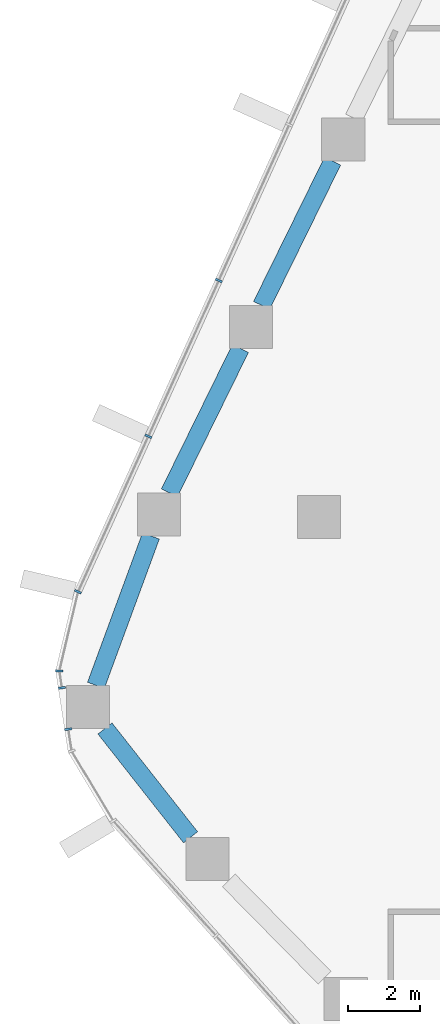
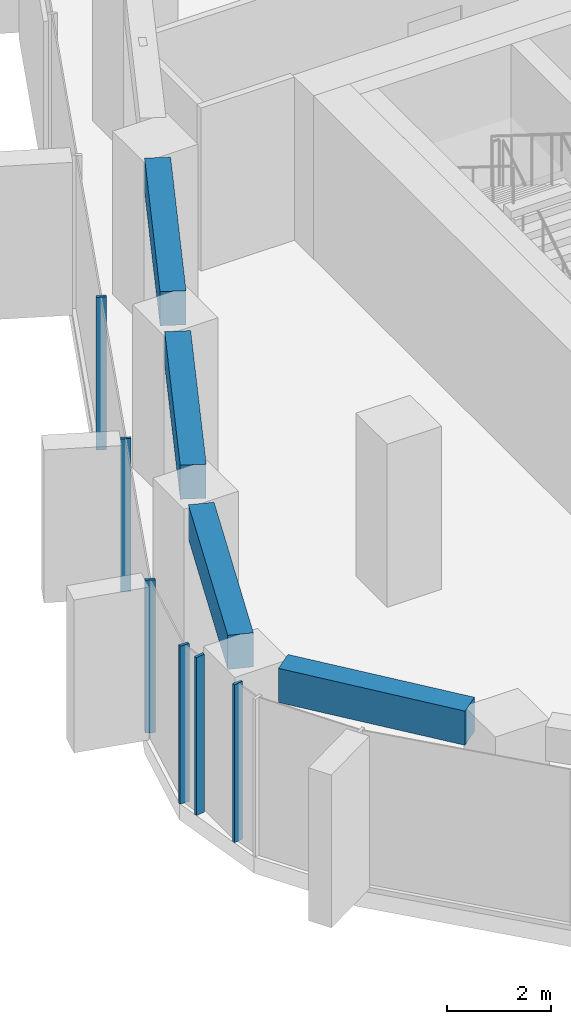
# One storey, part 3 of 17: 6 members, 4 beams, 3 elements without a shape of their own.
"""IFC4 building model written with IfcOpenShell, lengths in metres."""

from ifc_helpers import new_model, si_unit, direction, frame, origin, origin_2d, place, context, subcontext, project, spatial, rectangle, extrude, material, layer, layer_set, material_profile, profile_set, type_object, element, aggregate, save


model = new_model("IFC4")

# Units and contexts
model_context = context("Model", 3, precision=1e-05, world=origin(), true_north=direction((0.0, 1.0)))
body_context = subcontext(model_context, "Body", "Model", "MODEL_VIEW")
ifc_project = project(units=[si_unit("LENGTHUNIT", "METRE"), si_unit("AREAUNIT", "SQUARE_METRE"), si_unit("VOLUMEUNIT", "CUBIC_METRE"), si_unit("PLANEANGLEUNIT", "RADIAN"), si_unit("MASSUNIT", "GRAM", prefix="KILO")], contexts=[model_context])

# Site, building, storey
site_placement = place(None, origin())
site = spatial("IfcSite", under=ifc_project, at=site_placement, CompositionType="ELEMENT")
building_placement = place(site_placement, origin())
building = spatial("IfcBuilding", under=site, at=building_placement, Name="Dongbaek Canopy Tower", CompositionType="ELEMENT")
storey_placement = place(building_placement, frame((0.0, 0.0, 175.39990234375)))
storey = spatial("IfcBuildingStorey", under=building, at=storey_placement, Name="L38", CompositionType="ELEMENT", Elevation=175.39990234375)

# Curtain wall, members
ifc_material_1 = material(Name="Aluminium 6063-T6 pale anodised", Category="aluminium")
ifc_layer = layer(ifc_material_1, 0.199951171875)
ifc_layer_set = layer_set([ifc_layer], Name="CW-1 unitised tower curtain wall")
curtain_wall_type = type_object("IfcCurtainWallType", Name="CW-1 unitised tower curtain wall", PredefinedType="NOTDEFINED", material=ifc_layer_set)
curtain_wall_1_placement = place(storey_placement, origin())
curtain_wall_1 = element("IfcCurtainWall", 1, at=curtain_wall_1_placement, inside=storey, type_object=curtain_wall_type, Name="CW-1 curtain wall F2.1", PredefinedType="NOTDEFINED")
ifc_material_2 = material(Name="Aluminium 6063-T6 pale anodised", Category="aluminium")
ifc_material_profile_1 = material_profile(ifc_material_2, rectangle(XDim=0.199951171875, YDim=0.06005859375, at=origin_2d()), Name="CW-1 mullion 60 x 200")
ifc_profile_set_1 = profile_set([ifc_material_profile_1], Name="Aluminium 6063-T6 pale anodised")
member_type = type_object("IfcMemberType", Name="CW-1 mullion 60 x 200", PredefinedType="MULLION", material=ifc_profile_set_1)
member_1_placement = place(storey_placement, frame((-20.79443359375, 6.580078125, 0.1201171875), z_axis=(0.0, 0.0, 1.0), x_axis=(-0.911147578037, 0.412080199763, 0.0)))
member_1 = element("IfcMember", 2, at=member_1_placement, type_object=member_type, Name="CW-1 mullion F2.1.4", PredefinedType="MULLION", context=body_context, shape_type="SweptSolid", body=[
    extrude(rectangle(XDim=0.199951171875, YDim=0.06005859375, at=origin_2d()), origin(), (0.0, 0.0, 1.0), 3.580078125),
])
member_2_placement = place(storey_placement, frame((-22.75634765625, 2.241943359375, 0.1201171875), z_axis=(0.0, 0.0, 1.0), x_axis=(-0.911147578037, 0.412080199763, 0.0)))
member_2 = element("IfcMember", 3, at=member_2_placement, type_object=member_type, Name="CW-1 mullion F2.1.5", PredefinedType="MULLION", context=body_context, shape_type="SweptSolid", body=[
    extrude(rectangle(XDim=0.199951171875, YDim=0.06005859375, at=origin_2d()), origin(), (0.0, 0.0, 1.0), 3.580078125),
])
member_3_placement = place(storey_placement, frame((-24.714111328125, -2.087158203125, 0.1201171875), z_axis=(0.0, 0.0, 1.0), x_axis=(-0.911147578037, 0.412080199763, 0.0)))
member_3 = element("IfcMember", 4, at=member_3_placement, type_object=member_type, Name="CW-1 mullion F2.1.6", PredefinedType="MULLION", context=body_context, shape_type="SweptSolid", body=[
    extrude(rectangle(XDim=0.199951171875, YDim=0.06005859375, at=origin_2d()), origin(), (0.0, 0.0, 1.0), 3.580078125),
])
aggregate(curtain_wall_1, [member_1, member_2, member_3])

curtain_wall_2_placement = place(storey_placement, origin())
curtain_wall_2 = element("IfcCurtainWall", 5, at=curtain_wall_2_placement, inside=storey, type_object=curtain_wall_type, Name="CW-1 curtain wall K3.1a", PredefinedType="NOTDEFINED")
member_4_placement = place(storey_placement, frame((-25.23583984375, -4.292236328125, 0.0), z_axis=(0.0, 0.0, 1.0), x_axis=(-0.999206410912, 0.039831500001, 0.0)))
member_4 = element("IfcMember", 6, at=member_4_placement, type_object=member_type, Name="CW-1 mullion K3.1a.2", PredefinedType="MULLION", context=body_context, shape_type="SweptSolid", body=[
    extrude(rectangle(XDim=0.199951171875, YDim=0.06005859375, at=origin_2d()), origin(), (0.0, 0.0, 1.0), 3.7001953125),
])
member_5_placement = place(storey_placement, frame((-25.16357421875, -4.762451171875, 0.0), z_axis=(0.0, 0.0, 1.0), x_axis=(-0.988378450695, -0.152013282979, 0.0)))
member_5 = element("IfcMember", 7, at=member_5_placement, type_object=member_type, Name="CW-1 mullion K3.1a.3", PredefinedType="MULLION", context=body_context, shape_type="SweptSolid", body=[
    extrude(rectangle(XDim=0.199951171875, YDim=0.06005859375, at=origin_2d()), origin(), (0.0, 0.0, 1.0), 3.7001953125),
])
aggregate(curtain_wall_2, [member_4, member_5])

# Curtain wall, member
curtain_wall_3_placement = place(storey_placement, origin())
curtain_wall_3 = element("IfcCurtainWall", 8, at=curtain_wall_3_placement, inside=storey, type_object=curtain_wall_type, Name="CW-1 curtain wall K3.1b", PredefinedType="NOTDEFINED")
member_6_placement = place(storey_placement, frame((-24.986328125, -5.913818359375, 0.0), z_axis=(0.0, 0.0, 1.0), x_axis=(-0.988378450695, -0.152013282979, 0.0)))
member_6 = element("IfcMember", 9, at=member_6_placement, type_object=member_type, Name="CW-1 mullion K3.1b.1", PredefinedType="MULLION", context=body_context, shape_type="SweptSolid", body=[
    extrude(rectangle(XDim=0.199951171875, YDim=0.06005859375, at=origin_2d()), origin(), (0.0, 0.0, 1.0), 3.7001953125),
])
aggregate(curtain_wall_3, [member_6])

# Beams
ifc_material_3 = material(Name="Concrete C70", Category="concrete")
ifc_material_profile_2 = material_profile(ifc_material_3, rectangle(XDim=0.5, YDim=0.800048828125, at=origin_2d()), Name="RC EDGE BEAM 500x800 C70")
ifc_profile_set_2 = profile_set([ifc_material_profile_2], Name="Concrete C70")
beam_type = type_object("IfcBeamType", Name="RC EDGE BEAM 500x800 C70", PredefinedType="BEAM", material=ifc_profile_set_2)
beam_1_placement = place(storey_placement, frame((-21.578125, -8.925048828125, 3.420166015625), z_axis=(-0.618344214718, 0.785907394115, 0.0), x_axis=(-0.785907394115, -0.618344214718, 0.0)))
element("IfcBeam", 10, at=beam_1_placement, inside=storey, type_object=beam_type, Name="EDGEBEAM:L38:07", PredefinedType="BEAM", context=body_context, shape_type="SweptSolid", body=[
    extrude(rectangle(XDim=0.5, YDim=0.800048828125, at=origin_2d()), origin(), (0.0, 0.0, 1.0), 3.856689453125),
])
beam_2_placement = place(storey_placement, frame((-24.214111328125, -4.694091796875, 3.420166015625), z_axis=(0.34534810305, 0.938474660137, 0.0), x_axis=(-0.938474660137, 0.34534810305, 0.0)))
element("IfcBeam", 11, at=beam_2_placement, inside=storey, type_object=beam_type, Name="EDGEBEAM:L38:08", PredefinedType="BEAM", context=body_context, shape_type="SweptSolid", body=[
    extrude(rectangle(XDim=0.5, YDim=0.800048828125, at=origin_2d()), origin(), (0.0, 0.0, 1.0), 4.433837890625),
])
beam_3_placement = place(storey_placement, frame((-22.1669921875, 0.6669921875, 3.420166015625), z_axis=(0.441142658474, 0.897436992147, 0.0), x_axis=(-0.897436992147, 0.441142658474, 0.0)))
element("IfcBeam", 12, at=beam_3_placement, inside=storey, type_object=beam_type, Name="EDGEBEAM:L38:09", PredefinedType="BEAM", context=body_context, shape_type="SweptSolid", body=[
    extrude(rectangle(XDim=0.5, YDim=0.800048828125, at=origin_2d()), origin(), (0.0, 0.0, 1.0), 4.4794921875),
])
beam_4_placement = place(storey_placement, frame((-19.6005859375, 5.886962890625, 3.420166015625), z_axis=(0.441534821152, 0.897244114893, 0.0), x_axis=(-0.897244114893, 0.441534821152, 0.0)))
element("IfcBeam", 13, at=beam_4_placement, inside=storey, type_object=beam_type, Name="EDGEBEAM:L38:10", PredefinedType="BEAM", context=body_context, shape_type="SweptSolid", body=[
    extrude(rectangle(XDim=0.5, YDim=0.800048828125, at=origin_2d()), origin(), (0.0, 0.0, 1.0), 4.478271484375),
])

save(model, "model.ifc")
